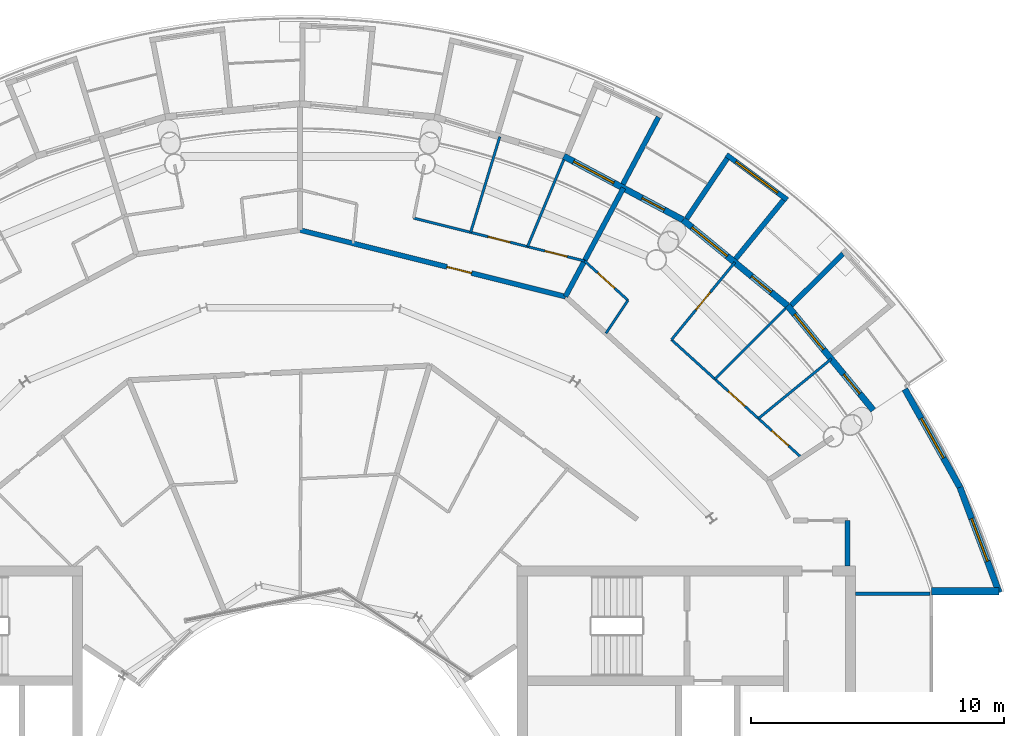
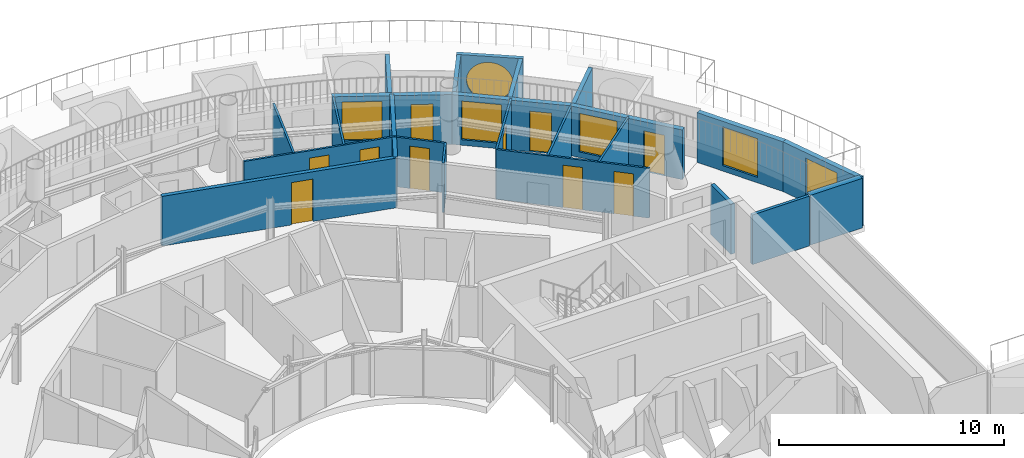
# One storey, part 23 of 29: 24 walls, 10 doors, 6 windows, 16 openings.
"""IFC4 building model written with IfcOpenShell, lengths in metres."""

from ifc_helpers import new_model, si_unit, direction, frame, frame_2d, origin, place, context, subcontext, project, spatial, rectangle, circle, extrude, material, layer, layer_set, type_object, element, fill, save


model = new_model("IFC4")

# Units and contexts
model_context = context("Model", 3, precision=1e-05, world=origin(), true_north=direction((0.0, 1.0)))
body_context = subcontext(model_context, "Body", "Model", "MODEL_VIEW")
ifc_project = project(units=[si_unit("LENGTHUNIT", "METRE"), si_unit("AREAUNIT", "SQUARE_METRE"), si_unit("VOLUMEUNIT", "CUBIC_METRE"), si_unit("PLANEANGLEUNIT", "RADIAN"), si_unit("MASSUNIT", "GRAM", prefix="KILO")], contexts=[model_context])

# Site, building, storey
site_placement = place(None, origin())
site = spatial("IfcSite", under=ifc_project, at=site_placement, CompositionType="ELEMENT")
building_placement = place(site_placement, origin())
building = spatial("IfcBuilding", under=site, at=building_placement, Name="Maasbend Ring Residences", CompositionType="ELEMENT")
storey_placement = place(building_placement, frame((0.0, 0.0, 234.050048828125)))
storey = spatial("IfcBuildingStorey", under=building, at=storey_placement, Name="L67", CompositionType="ELEMENT", Elevation=234.050048828125)

# Wall
ifc_material_1 = material(Name="Concrete C30/37", Category="concrete")
ifc_layer_1 = layer(ifc_material_1, 0.199951171875)
ifc_layer_set_1 = layer_set([ifc_layer_1], Name="Concrete C30/37")
wall_type_1 = type_object("IfcWallType", Name="CORRIDOR WALL 200 CONCRETE", PredefinedType="PARTITIONING", material=ifc_layer_set_1)
wall_1_placement = place(storey_placement, frame((21.675048828125, 9.0, 0.0), z_axis=(0.0, 0.0, 1.0), x_axis=(0.0, 1.0, 0.0)))
element("IfcWall", 1, at=wall_1_placement, inside=storey, type_object=wall_type_1, Name="U-L67-w018", PredefinedType="PARTITIONING", context=body_context, shape_type="SweptSolid", body=[
    extrude(rectangle(XDim=1.800048828125, YDim=0.199951171875, at=frame_2d((0.89990234375, 0.0))), origin(), (0.0, 0.0, 1.0), 2.699951171875),
])

# Wall, opening, door
wall_2_placement = place(storey_placement, frame((0.0, 22.300048828125, 0.0), z_axis=(0.0, 0.0, 1.0), x_axis=(0.969975381822, -0.243203122222, 0.0)))
wall_2 = element("IfcWall", 2, at=wall_2_placement, inside=storey, type_object=wall_type_1, Name="U-L67-w107", PredefinedType="PARTITIONING", context=body_context, shape_type="SweptSolid", body=[
    extrude(rectangle(XDim=10.842529296875, YDim=0.199951171875, at=frame_2d((5.42138671875, 0.0))), origin(), (0.0, 0.0, 1.0), 2.699951171875),
])
opening_1_placement = place(wall_2_placement, frame((6.001953125, 0.0, 0.0)))
opening_1 = element("IfcOpeningElement", 3, at=opening_1_placement, cuts=wall_2, Name="Opening D-6706", PredefinedType="OPENING", context=body_context, shape_type="SweptSolid", body=[
    extrude(rectangle(XDim=1.0, YDim=2.300048828125, at=frame_2d((0.5, 1.14990234375))), frame((0.0, 0.10986328125, 0.0), z_axis=(0.0, -1.0, 0.0), x_axis=(1.0, 0.0, 0.0)), (0.0, 0.0, 1.0), 0.219970703125),
])
ifc_material_2 = material(Name="Timber, fire-rated, painted", Category="wood")
door_type_1 = type_object("IfcDoorType", Name="FLAT ENTRANCE DOOR 1000 X 2300 FIRE-RATED", OperationType="NOTDEFINED", PredefinedType="DOOR", material=ifc_material_2)
door_1_placement = place(opening_1_placement, origin())
door_1 = element("IfcDoor", 4, at=door_1_placement, inside=storey, type_object=door_type_1, Name="D-6706", OperationType="SINGLE_SWING_RIGHT", OverallHeight=2.300048828125, OverallWidth=1.0, PredefinedType="DOOR", context=body_context, shape_type="SweptSolid", body=[
    extrude(rectangle(XDim=1.0, YDim=2.300048828125, at=frame_2d((0.5, 1.14990234375))), frame((0.0, 0.02490234375, 0.0), z_axis=(0.0, -1.0, 0.0), x_axis=(1.0, 0.0, 0.0)), (0.0, 0.0, 1.0), 0.050048828125),
])
fill(opening_1, door_1)

# Wall
ifc_material_3 = material(Name="Pale anodised aluminium panel", Category="aluminium")
ifc_layer_2 = layer(ifc_material_3, 0.199951171875)
ifc_layer_set_2 = layer_set([ifc_layer_2], Name="EW-BOX")
wall_type_2 = type_object("IfcWallType", Name="EW-BOX", PredefinedType="SOLIDWALL", material=ifc_layer_set_2)
wall_3_placement = place(storey_placement, frame((19.449951171875, 19.322998046875, -0.030029296875), z_axis=(0.0, 0.0, 1.0), x_axis=(0.709727076896, 0.704476739375, 0.0)))
element("IfcWall", 5, at=wall_3_placement, inside=storey, type_object=wall_type_2, Name="Box side wall N02 right", PredefinedType="SOLIDWALL", context=body_context, shape_type="SweptSolid", body=[
    extrude(rectangle(XDim=2.883056640625, YDim=0.199951171875, at=frame_2d((1.44140625, 0.0))), origin(), (0.0, 0.0, 1.0), 2.72998046875),
])

# Wall, opening, window
wall_4_placement = place(storey_placement, frame((19.2890625, 23.49609375, -0.030029296875), z_axis=(0.0, 0.0, 1.0), x_axis=(-0.803052706508, 0.595908005124, 0.0)))
wall_4 = element("IfcWall", 6, at=wall_4_placement, inside=storey, type_object=wall_type_2, Name="Box front N04", PredefinedType="SOLIDWALL", context=body_context, shape_type="SweptSolid", body=[
    extrude(rectangle(XDim=2.99365234375, YDim=0.199951171875, at=frame_2d((1.496826171875, 0.0))), origin(), (0.0, 0.0, 1.0), 2.72998046875),
])
opening_2_placement = place(wall_4_placement, frame((0.45654296875, 0.0, 0.330078125)))
opening_2 = element("IfcOpeningElement", 7, at=opening_2_placement, cuts=wall_4, Name="Opening W-RD", PredefinedType="OPENING", context=body_context, shape_type="SweptSolid", body=[
    extrude(circle(Radius=1.0400390625, at=frame_2d((1.0400390625, 1.0400390625))), frame((0.0, 0.10986328125, 0.0), z_axis=(0.0, -1.0, 0.0), x_axis=(1.0, 0.0, 0.0)), (0.0, 0.0, 1.0), 0.219970703125),
])
ifc_material_4 = material(Name="Aluminium and clear glass", Category="aluminium")
window_type_1 = type_object("IfcWindowType", Name="W-RD", PartitioningType="SINGLE_PANEL", PredefinedType="WINDOW", material=ifc_material_4)
window_1_placement = place(opening_2_placement, origin())
window_1 = element("IfcWindow", 8, at=window_1_placement, inside=storey, type_object=window_type_1, Name="Round window N04", OverallHeight=2.080078125, OverallWidth=2.080078125, PartitioningType="SINGLE_PANEL", PredefinedType="WINDOW", context=body_context, shape_type="SweptSolid", body=[
    extrude(circle(Radius=1.0400390625, at=frame_2d((1.0400390625, 1.0400390625))), frame((0.0, 0.030029296875, 0.0), z_axis=(0.0, -1.0, 0.0), x_axis=(1.0, 0.0, 0.0)), (0.0, 0.0, 1.0), 0.06005859375),
])
fill(opening_2, window_1)

# Walls
wall_5_placement = place(storey_placement, frame((17.24609375, 21.155029296875, -0.030029296875), z_axis=(0.0, 0.0, 1.0), x_axis=(0.631546363729, 0.775338113639, 0.0)))
element("IfcWall", 9, at=wall_5_placement, inside=storey, type_object=wall_type_2, Name="Box side wall N04 left", PredefinedType="SOLIDWALL", context=body_context, shape_type="SweptSolid", body=[
    extrude(rectangle(XDim=3.005126953125, YDim=0.199951171875, at=frame_2d((1.50244140625, 0.0))), origin(), (0.0, 0.0, 1.0), 2.72998046875),
])
wall_6_placement = place(storey_placement, frame((15.306884765625, 22.74609375, -0.030029296875), z_axis=(0.0, 0.0, 1.0), x_axis=(0.558583730979, 0.829448139117, 0.0)))
element("IfcWall", 10, at=wall_6_placement, inside=storey, type_object=wall_type_2, Name="Box side wall N04 right", PredefinedType="SOLIDWALL", context=body_context, shape_type="SweptSolid", body=[
    extrude(rectangle(XDim=2.882568359375, YDim=0.199951171875, at=frame_2d((1.44140625, 0.0))), origin(), (0.0, 0.0, 1.0), 2.72998046875),
])
wall_7_placement = place(storey_placement, frame((12.787109375, 24.113037109375, -0.030029296875), z_axis=(0.0, 0.0, 1.0), x_axis=(0.468365282436, 0.883534924159, 0.0)))
element("IfcWall", 11, at=wall_7_placement, inside=storey, type_object=wall_type_2, Name="Box side wall N06 left", PredefinedType="SOLIDWALL", context=body_context, shape_type="SweptSolid", body=[
    extrude(rectangle(XDim=3.006103515625, YDim=0.199951171875, at=frame_2d((1.5029296875, 0.0))), origin(), (0.0, 0.0, 1.0), 2.72998046875),
])

# Wall, openings, door, window
ifc_material_5 = material(Name="Aluminium clad insulated panel", Category="aluminium")
ifc_layer_3 = layer(ifc_material_5, 0.25)
ifc_layer_set_3 = layer_set([ifc_layer_3], Name="EW-GL")
wall_type_3 = type_object("IfcWallType", Name="EW-GL", PredefinedType="SOLIDWALL", material=ifc_layer_set_3)
wall_8_placement = place(storey_placement, frame((22.698974609375, 15.1669921875, 0.0), z_axis=(0.0, 0.0, 1.0), x_axis=(-0.634382322723, 0.773019449054, 0.0)))
wall_8 = element("IfcWall", 12, at=wall_8_placement, inside=storey, type_object=wall_type_3, Name="External wall N01", PredefinedType="SOLIDWALL", context=body_context, shape_type="SweptSolid", body=[
    extrude(rectangle(XDim=5.351806640625, YDim=0.25, at=frame_2d((2.67578125, 0.0))), origin(), (0.0, 0.0, 1.0), 2.699951171875),
])
opening_3_placement = place(wall_8_placement, frame((0.841064453125, 0.0, 0.0)))
opening_3 = element("IfcOpeningElement", 13, at=opening_3_placement, cuts=wall_8, Name="Opening D-LG", PredefinedType="OPENING", context=body_context, shape_type="SweptSolid", body=[
    extrude(rectangle(XDim=1.0, YDim=2.199951171875, at=frame_2d((0.5, 1.10009765625))), frame((0.0, 0.135009765625, 0.0), z_axis=(0.0, -1.0, 0.0), x_axis=(1.0, 0.0, 0.0)), (0.0, 0.0, 1.0), 0.27001953125),
])
opening_4_placement = place(wall_8_placement, frame((3.110595703125, 0.0, 0.300048828125)))
opening_4 = element("IfcOpeningElement", 14, at=opening_4_placement, cuts=wall_8, Name="Opening W-BX", PredefinedType="OPENING", context=body_context, shape_type="SweptSolid", body=[
    extrude(rectangle(XDim=1.800048828125, YDim=2.10009765625, at=frame_2d((0.89990234375, 1.050048828125))), frame((0.0, 0.135009765625, 0.0), z_axis=(0.0, -1.0, 0.0), x_axis=(1.0, 0.0, 0.0)), (0.0, 0.0, 1.0), 0.27001953125),
])
ifc_material_6 = material(Name="Aluminium and clear glass", Category="aluminium")
door_type_2 = type_object("IfcDoorType", Name="D-LG", OperationType="SINGLE_SWING_LEFT", PredefinedType="DOOR", material=ifc_material_6)
door_2_placement = place(opening_3_placement, origin())
door_2 = element("IfcDoor", 15, at=door_2_placement, inside=storey, type_object=door_type_2, Name="Loggia door N01", OperationType="SINGLE_SWING_LEFT", OverallHeight=2.199951171875, OverallWidth=1.0, PredefinedType="DOOR", context=body_context, shape_type="SweptSolid", body=[
    extrude(rectangle(XDim=1.0, YDim=2.199951171875, at=frame_2d((0.5, 1.10009765625))), frame((0.0, 0.02490234375, 0.0), z_axis=(0.0, -1.0, 0.0), x_axis=(1.0, 0.0, 0.0)), (0.0, 0.0, 1.0), 0.050048828125),
])
fill(opening_3, door_2)
ifc_material_7 = material(Name="Aluminium and clear glass", Category="aluminium")
window_type_2 = type_object("IfcWindowType", Name="W-BX", PartitioningType="DOUBLE_PANEL_VERTICAL", PredefinedType="WINDOW", material=ifc_material_7)
window_2_placement = place(opening_4_placement, origin())
window_2 = element("IfcWindow", 16, at=window_2_placement, inside=storey, type_object=window_type_2, Name="Window N02 room to box", OverallHeight=2.10009765625, OverallWidth=1.800048828125, PartitioningType="SINGLE_PANEL", PredefinedType="WINDOW", context=body_context, shape_type="SweptSolid", body=[
    extrude(rectangle(XDim=1.800048828125, YDim=2.10009765625, at=frame_2d((0.89990234375, 1.050048828125))), frame((0.0, 0.030029296875, 0.0), z_axis=(0.0, -1.0, 0.0), x_axis=(1.0, 0.0, 0.0)), (0.0, 0.0, 1.0), 0.06005859375),
])
fill(opening_4, window_2)

wall_9_placement = place(storey_placement, frame((19.303955078125, 19.303955078125, 0.0), z_axis=(0.0, 0.0, 1.0), x_axis=(-0.773019449054, 0.634382322723, 0.0)))
wall_9 = element("IfcWall", 17, at=wall_9_placement, inside=storey, type_object=wall_type_3, Name="External wall N02", PredefinedType="SOLIDWALL", context=body_context, shape_type="SweptSolid", body=[
    extrude(rectangle(XDim=5.351806640625, YDim=0.25, at=frame_2d((2.67578125, 0.0))), origin(), (0.0, 0.0, 1.0), 2.699951171875),
])
opening_5_placement = place(wall_9_placement, frame((0.841064453125, 0.0, 0.0)))
opening_5 = element("IfcOpeningElement", 18, at=opening_5_placement, cuts=wall_9, Name="Opening D-LG", PredefinedType="OPENING", context=body_context, shape_type="SweptSolid", body=[
    extrude(rectangle(XDim=1.0, YDim=2.199951171875, at=frame_2d((0.5, 1.10009765625))), frame((0.0, 0.135009765625, 0.0), z_axis=(0.0, -1.0, 0.0), x_axis=(1.0, 0.0, 0.0)), (0.0, 0.0, 1.0), 0.27001953125),
])
opening_6_placement = place(wall_9_placement, frame((3.095947265625, 0.0, 0.300048828125)))
opening_6 = element("IfcOpeningElement", 19, at=opening_6_placement, cuts=wall_9, Name="Opening W-BX", PredefinedType="OPENING", context=body_context, shape_type="SweptSolid", body=[
    extrude(rectangle(XDim=1.800048828125, YDim=2.10009765625, at=frame_2d((0.89990234375, 1.050048828125))), frame((0.0, 0.135009765625, 0.0), z_axis=(0.0, -1.0, 0.0), x_axis=(1.0, 0.0, 0.0)), (0.0, 0.0, 1.0), 0.27001953125),
])
door_3_placement = place(opening_5_placement, origin())
door_3 = element("IfcDoor", 20, at=door_3_placement, inside=storey, type_object=door_type_2, Name="Loggia door N03", OperationType="SINGLE_SWING_LEFT", OverallHeight=2.199951171875, OverallWidth=1.0, PredefinedType="DOOR", context=body_context, shape_type="SweptSolid", body=[
    extrude(rectangle(XDim=1.0, YDim=2.199951171875, at=frame_2d((0.5, 1.10009765625))), frame((0.0, 0.02490234375, 0.0), z_axis=(0.0, -1.0, 0.0), x_axis=(1.0, 0.0, 0.0)), (0.0, 0.0, 1.0), 0.050048828125),
])
fill(opening_5, door_3)
window_3_placement = place(opening_6_placement, origin())
window_3 = element("IfcWindow", 21, at=window_3_placement, inside=storey, type_object=window_type_2, Name="Window N04 room to box", OverallHeight=2.10009765625, OverallWidth=1.800048828125, PartitioningType="SINGLE_PANEL", PredefinedType="WINDOW", context=body_context, shape_type="SweptSolid", body=[
    extrude(rectangle(XDim=1.800048828125, YDim=2.10009765625, at=frame_2d((0.89990234375, 1.050048828125))), frame((0.0, 0.030029296875, 0.0), z_axis=(0.0, -1.0, 0.0), x_axis=(1.0, 0.0, 0.0)), (0.0, 0.0, 1.0), 0.06005859375),
])
fill(opening_6, window_3)

wall_10_placement = place(storey_placement, frame((15.1669921875, 22.698974609375, 0.0), z_axis=(0.0, 0.0, 1.0), x_axis=(-0.881915646801, 0.471407246368, 0.0)))
wall_10 = element("IfcWall", 22, at=wall_10_placement, inside=storey, type_object=wall_type_3, Name="External wall N03", PredefinedType="SOLIDWALL", context=body_context, shape_type="SweptSolid", body=[
    extrude(rectangle(XDim=5.35205078125, YDim=0.25, at=frame_2d((2.676025390625, 0.0))), origin(), (0.0, 0.0, 1.0), 2.699951171875),
])
opening_7_placement = place(wall_10_placement, frame((0.841064453125, 0.0, 0.0)))
opening_7 = element("IfcOpeningElement", 23, at=opening_7_placement, cuts=wall_10, Name="Opening D-LG", PredefinedType="OPENING", context=body_context, shape_type="SweptSolid", body=[
    extrude(rectangle(XDim=1.0, YDim=2.199951171875, at=frame_2d((0.5, 1.10009765625))), frame((0.0, 0.135009765625, 0.0), z_axis=(0.0, -1.0, 0.0), x_axis=(1.0, 0.0, 0.0)), (0.0, 0.0, 1.0), 0.27001953125),
])
opening_8_placement = place(wall_10_placement, frame((3.110595703125, 0.0, 0.300048828125)))
opening_8 = element("IfcOpeningElement", 24, at=opening_8_placement, cuts=wall_10, Name="Opening W-BX", PredefinedType="OPENING", context=body_context, shape_type="SweptSolid", body=[
    extrude(rectangle(XDim=1.800048828125, YDim=2.10009765625, at=frame_2d((0.89990234375, 1.050048828125))), frame((0.0, 0.135009765625, 0.0), z_axis=(0.0, -1.0, 0.0), x_axis=(1.0, 0.0, 0.0)), (0.0, 0.0, 1.0), 0.27001953125),
])
door_4_placement = place(opening_7_placement, origin())
door_4 = element("IfcDoor", 25, at=door_4_placement, inside=storey, type_object=door_type_2, Name="Loggia door N05", OperationType="SINGLE_SWING_LEFT", OverallHeight=2.199951171875, OverallWidth=1.0, PredefinedType="DOOR", context=body_context, shape_type="SweptSolid", body=[
    extrude(rectangle(XDim=1.0, YDim=2.199951171875, at=frame_2d((0.5, 1.10009765625))), frame((0.0, 0.02490234375, 0.0), z_axis=(0.0, -1.0, 0.0), x_axis=(1.0, 0.0, 0.0)), (0.0, 0.0, 1.0), 0.050048828125),
])
fill(opening_7, door_4)
window_4_placement = place(opening_8_placement, origin())
window_4 = element("IfcWindow", 26, at=window_4_placement, inside=storey, type_object=window_type_2, Name="Window N06 room to box", OverallHeight=2.10009765625, OverallWidth=1.800048828125, PartitioningType="SINGLE_PANEL", PredefinedType="WINDOW", context=body_context, shape_type="SweptSolid", body=[
    extrude(rectangle(XDim=1.800048828125, YDim=2.10009765625, at=frame_2d((0.89990234375, 1.050048828125))), frame((0.0, 0.030029296875, 0.0), z_axis=(0.0, -1.0, 0.0), x_axis=(1.0, 0.0, 0.0)), (0.0, 0.0, 1.0), 0.06005859375),
])
fill(opening_8, window_4)

# Wall, opening, window
ifc_material_8 = material(Name="Aluminium clad insulated panel", Category="aluminium")
ifc_layer_4 = layer(ifc_material_8, 0.25)
ifc_layer_set_4 = layer_set([ifc_layer_4], Name="EW-HORN")
wall_type_4 = type_object("IfcWallType", Name="EW-HORN", PredefinedType="SOLIDWALL", material=ifc_layer_set_4)
wall_11_placement = place(storey_placement, frame((27.681884765625, 7.945068359375, 0.0), z_axis=(0.0, 0.0, 1.0), x_axis=(-0.349247811493, 0.937030397675, 0.0)))
wall_11 = element("IfcWall", 27, at=wall_11_placement, inside=storey, type_object=wall_type_4, Name="Horn wall 1.1", PredefinedType="SOLIDWALL", context=body_context, shape_type="SweptSolid", body=[
    extrude(rectangle(XDim=4.4521484375, YDim=0.25, at=frame_2d((2.22607421875, 0.0))), origin(), (0.0, 0.0, 1.0), 2.699951171875),
])
opening_9_placement = place(wall_11_placement, frame((1.32666015625, 0.0, 0.300048828125)))
opening_9 = element("IfcOpeningElement", 28, at=opening_9_placement, cuts=wall_11, Name="Opening W-BX", PredefinedType="OPENING", context=body_context, shape_type="SweptSolid", body=[
    extrude(rectangle(XDim=1.800048828125, YDim=2.10009765625, at=frame_2d((0.89990234375, 1.050048828125))), frame((0.0, 0.135009765625, 0.0), z_axis=(0.0, -1.0, 0.0), x_axis=(1.0, 0.0, 0.0)), (0.0, 0.0, 1.0), 0.27001953125),
])
window_5_placement = place(opening_9_placement, origin())
window_5 = element("IfcWindow", 29, at=window_5_placement, inside=storey, type_object=window_type_2, Name="Horn window 1.1", OverallHeight=2.10009765625, OverallWidth=1.800048828125, PartitioningType="SINGLE_PANEL", PredefinedType="WINDOW", context=body_context, shape_type="SweptSolid", body=[
    extrude(rectangle(XDim=1.800048828125, YDim=2.10009765625, at=frame_2d((0.89990234375, 1.050048828125))), frame((0.0, 0.030029296875, 0.0), z_axis=(0.0, -1.0, 0.0), x_axis=(1.0, 0.0, 0.0)), (0.0, 0.0, 1.0), 0.06005859375),
])
fill(opening_9, window_5)

wall_12_placement = place(storey_placement, frame((26.126953125, 12.116943359375, 0.0), z_axis=(0.0, 0.0, 1.0), x_axis=(-0.489696356642, 0.871893042919, 0.0)))
wall_12 = element("IfcWall", 30, at=wall_12_placement, inside=storey, type_object=wall_type_4, Name="Horn wall 1.2", PredefinedType="SOLIDWALL", context=body_context, shape_type="SweptSolid", body=[
    extrude(rectangle(XDim=4.45361328125, YDim=0.25, at=frame_2d((2.226806640625, 0.0))), origin(), (0.0, 0.0, 1.0), 2.699951171875),
])
opening_10_placement = place(wall_12_placement, frame((1.32666015625, 0.0, 0.300048828125)))
opening_10 = element("IfcOpeningElement", 31, at=opening_10_placement, cuts=wall_12, Name="Opening W-BX", PredefinedType="OPENING", context=body_context, shape_type="SweptSolid", body=[
    extrude(rectangle(XDim=1.800048828125, YDim=2.10009765625, at=frame_2d((0.89990234375, 1.050048828125))), frame((0.0, 0.135009765625, 0.0), z_axis=(0.0, -1.0, 0.0), x_axis=(1.0, 0.0, 0.0)), (0.0, 0.0, 1.0), 0.27001953125),
])
window_6_placement = place(opening_10_placement, origin())
window_6 = element("IfcWindow", 32, at=window_6_placement, inside=storey, type_object=window_type_2, Name="Horn window 1.2", OverallHeight=2.10009765625, OverallWidth=1.800048828125, PartitioningType="SINGLE_PANEL", PredefinedType="WINDOW", context=body_context, shape_type="SweptSolid", body=[
    extrude(rectangle(XDim=1.800048828125, YDim=2.10009765625, at=frame_2d((0.89990234375, 1.050048828125))), frame((0.0, 0.030029296875, 0.0), z_axis=(0.0, -1.0, 0.0), x_axis=(1.0, 0.0, 0.0)), (0.0, 0.0, 1.0), 0.06005859375),
])
fill(opening_10, window_6)

# Walls
ifc_material_9 = material(Name="Aluminium clad insulated panel", Category="aluminium")
ifc_layer_5 = layer(ifc_material_9, 0.300048828125)
ifc_layer_set_5 = layer_set([ifc_layer_5], Name="EW-RET")
wall_type_5 = type_object("IfcWallType", Name="EW-RET", PredefinedType="SOLIDWALL", material=ifc_layer_set_5)
wall_13_placement = place(storey_placement, frame((25.0, 8.0, 0.0), z_axis=(0.0, 0.0, 1.0), x_axis=(1.0, 0.0, 0.0)))
element("IfcWall", 33, at=wall_13_placement, inside=storey, type_object=wall_type_5, Name="Notch return wall east north", PredefinedType="SOLIDWALL", context=body_context, shape_type="SweptSolid", body=[
    extrude(rectangle(XDim=2.6669921875, YDim=0.300048828125, at=frame_2d((1.33349609375, 0.0))), origin(), (0.0, 0.0, 1.0), 2.699951171875),
])
ifc_material_10 = material(Name="Gypsum board on steel studs", Category="steel")
ifc_layer_6 = layer(ifc_material_10, 0.10009765625)
ifc_layer_set_6 = layer_set([ifc_layer_6], Name="PARTITION 100 GYPSUM")
wall_type_6 = type_object("IfcWallType", Name="PARTITION 100 GYPSUM", PredefinedType="PARTITIONING", material=ifc_layer_set_6)
wall_14_placement = place(storey_placement, frame((6.760009765625, 22.20703125, 0.0), z_axis=(0.0, 0.0, 1.0), x_axis=(0.291291575636, 0.956634317785, 0.0)))
element("IfcWall", 34, at=wall_14_placement, inside=storey, type_object=wall_type_6, Name="U-L67-w080", PredefinedType="PARTITIONING", context=body_context, shape_type="SweptSolid", body=[
    extrude(rectangle(XDim=3.9619140625, YDim=0.10009765625, at=frame_2d((1.98095703125, 0.0))), origin(), (0.0, 0.0, 1.0), 2.699951171875),
])
wall_15_placement = place(storey_placement, frame((9.012939453125, 21.64208984375, 0.0), z_axis=(0.0, 0.0, 1.0), x_axis=(0.384420204655, 0.923158223845, 0.0)))
element("IfcWall", 35, at=wall_15_placement, inside=storey, type_object=wall_type_6, Name="U-L67-w082", PredefinedType="PARTITIONING", context=body_context, shape_type="SweptSolid", body=[
    extrude(rectangle(XDim=3.73046875, YDim=0.10009765625, at=frame_2d((1.865234375, 0.0))), origin(), (0.0, 0.0, 1.0), 2.699951171875),
])
wall_16_placement = place(storey_placement, frame((12.117919921875, 18.2109375, 0.0), z_axis=(0.0, 0.0, 1.0), x_axis=(0.554125989098, 0.832432813028, 0.0)))
element("IfcWall", 36, at=wall_16_placement, inside=storey, type_object=wall_type_6, Name="U-L67-w085", PredefinedType="PARTITIONING", context=body_context, shape_type="SweptSolid", body=[
    extrude(rectangle(XDim=1.5703125, YDim=0.10009765625, at=frame_2d((0.78515625, 0.0))), origin(), (0.0, 0.0, 1.0), 2.699951171875),
])

# Wall, opening, door
wall_17_placement = place(storey_placement, frame((14.708984375, 17.9580078125, 0.0), z_axis=(0.0, 0.0, 1.0), x_axis=(0.633590098448, 0.773668913133, 0.0)))
wall_17 = element("IfcWall", 37, at=wall_17_placement, inside=storey, type_object=wall_type_6, Name="U-L67-w088", PredefinedType="PARTITIONING", context=body_context, shape_type="SweptSolid", body=[
    extrude(rectangle(XDim=3.961669921875, YDim=0.10009765625, at=frame_2d((1.98095703125, 0.0))), origin(), (0.0, 0.0, 1.0), 2.699951171875),
])
opening_11_placement = place(wall_17_placement, frame((1.531005859375, 0.0, 0.0)))
opening_11 = element("IfcOpeningElement", 38, at=opening_11_placement, cuts=wall_17, Name="Opening D-6703", PredefinedType="OPENING", context=body_context, shape_type="SweptSolid", body=[
    extrude(rectangle(XDim=0.89990234375, YDim=2.300048828125, at=frame_2d((0.449951171875, 1.14990234375))), frame((0.0, 0.06005859375, 0.0), z_axis=(0.0, -1.0, 0.0), x_axis=(1.0, 0.0, 0.0)), (0.0, 0.0, 1.0), 0.1201171875),
])
ifc_material_11 = material(Name="Timber, painted", Category="wood")
door_type_3 = type_object("IfcDoorType", Name="INTERNAL DOOR 900 X 2300", OperationType="NOTDEFINED", PredefinedType="DOOR", material=ifc_material_11)
door_5_placement = place(opening_11_placement, origin())
door_5 = element("IfcDoor", 39, at=door_5_placement, inside=storey, type_object=door_type_3, Name="D-6703", OperationType="SINGLE_SWING_RIGHT", OverallHeight=2.300048828125, OverallWidth=0.89990234375, PredefinedType="DOOR", context=body_context, shape_type="SweptSolid", body=[
    extrude(rectangle(XDim=0.89990234375, YDim=2.300048828125, at=frame_2d((0.449951171875, 1.14990234375))), frame((0.0, 0.02490234375, 0.0), z_axis=(0.0, -1.0, 0.0), x_axis=(1.0, 0.0, 0.0)), (0.0, 0.0, 1.0), 0.050048828125),
])
fill(opening_11, door_5)

# Walls
wall_18_placement = place(storey_placement, frame((16.429931640625, 16.39794921875, 0.0), z_axis=(0.0, 0.0, 1.0), x_axis=(0.707722727509, 0.706490297858, 0.0)))
element("IfcWall", 40, at=wall_18_placement, inside=storey, type_object=wall_type_6, Name="U-L67-w089", PredefinedType="PARTITIONING", context=body_context, shape_type="SweptSolid", body=[
    extrude(rectangle(XDim=3.9619140625, YDim=0.10009765625, at=frame_2d((1.98095703125, 0.0))), origin(), (0.0, 0.0, 1.0), 2.699951171875),
])
wall_19_placement = place(storey_placement, frame((18.15087890625, 14.837890625, 0.0), z_axis=(0.0, 0.0, 1.0), x_axis=(0.774321581607, 0.63279229472, 0.0)))
element("IfcWall", 41, at=wall_19_placement, inside=storey, type_object=wall_type_6, Name="U-L67-w091", PredefinedType="PARTITIONING", context=body_context, shape_type="SweptSolid", body=[
    extrude(rectangle(XDim=3.731201171875, YDim=0.10009765625, at=frame_2d((1.86572265625, 0.0))), origin(), (0.0, 0.0, 1.0), 2.699951171875),
])

# Wall, openings, doors
wall_20_placement = place(storey_placement, frame((4.507080078125, 22.77099609375, 0.0), z_axis=(0.0, 0.0, 1.0), x_axis=(0.970020829306, -0.243021790611, 0.0)))
wall_20 = element("IfcWall", 42, at=wall_20_placement, inside=storey, type_object=wall_type_6, Name="U-L67-w117", PredefinedType="PARTITIONING", context=body_context, shape_type="SweptSolid", body=[
    extrude(rectangle(XDim=6.970947265625, YDim=0.10009765625, at=frame_2d((3.4853515625, 0.0))), origin(), (0.0, 0.0, 1.0), 2.699951171875),
])
opening_12_placement = place(wall_20_placement, frame((3.031005859375, 0.0, 0.0)))
opening_12 = element("IfcOpeningElement", 43, at=opening_12_placement, cuts=wall_20, Name="Opening D-6709", PredefinedType="OPENING", context=body_context, shape_type="SweptSolid", body=[
    extrude(rectangle(XDim=0.89990234375, YDim=2.300048828125, at=frame_2d((0.449951171875, 1.14990234375))), frame((0.0, 0.06005859375, 0.0), z_axis=(0.0, -1.0, 0.0), x_axis=(1.0, 0.0, 0.0)), (0.0, 0.0, 1.0), 0.1201171875),
])
opening_13_placement = place(wall_20_placement, frame((5.35791015625, 0.0, 0.0)))
opening_13 = element("IfcOpeningElement", 44, at=opening_13_placement, cuts=wall_20, Name="Opening D-6710", PredefinedType="OPENING", context=body_context, shape_type="SweptSolid", body=[
    extrude(rectangle(XDim=0.89990234375, YDim=2.300048828125, at=frame_2d((0.449951171875, 1.14990234375))), frame((0.0, 0.06005859375, 0.0), z_axis=(0.0, -1.0, 0.0), x_axis=(1.0, 0.0, 0.0)), (0.0, 0.0, 1.0), 0.1201171875),
])
door_6_placement = place(opening_12_placement, origin())
door_6 = element("IfcDoor", 45, at=door_6_placement, inside=storey, type_object=door_type_3, Name="D-6709", OperationType="SINGLE_SWING_LEFT", OverallHeight=2.300048828125, OverallWidth=0.89990234375, PredefinedType="DOOR", context=body_context, shape_type="SweptSolid", body=[
    extrude(rectangle(XDim=0.89990234375, YDim=2.300048828125, at=frame_2d((0.449951171875, 1.14990234375))), frame((0.0, 0.02490234375, 0.0), z_axis=(0.0, -1.0, 0.0), x_axis=(1.0, 0.0, 0.0)), (0.0, 0.0, 1.0), 0.050048828125),
])
fill(opening_12, door_6)
door_7_placement = place(opening_13_placement, origin())
door_7 = element("IfcDoor", 46, at=door_7_placement, inside=storey, type_object=door_type_3, Name="D-6710", OperationType="SINGLE_SWING_RIGHT", OverallHeight=2.300048828125, OverallWidth=0.89990234375, PredefinedType="DOOR", context=body_context, shape_type="SweptSolid", body=[
    extrude(rectangle(XDim=0.89990234375, YDim=2.300048828125, at=frame_2d((0.449951171875, 1.14990234375))), frame((0.0, 0.02490234375, 0.0), z_axis=(0.0, -1.0, 0.0), x_axis=(1.0, 0.0, 0.0)), (0.0, 0.0, 1.0), 0.050048828125),
])
fill(opening_13, door_7)

# Wall, opening, door
wall_21_placement = place(storey_placement, frame((11.27099609375, 21.073974609375, 0.0), z_axis=(0.0, 0.0, 1.0), x_axis=(0.74087097024, -0.671647381783, 0.0)))
wall_21 = element("IfcWall", 47, at=wall_21_placement, inside=storey, type_object=wall_type_6, Name="U-L67-w118", PredefinedType="PARTITIONING", context=body_context, shape_type="SweptSolid", body=[
    extrude(rectangle(XDim=2.32421875, YDim=0.10009765625, at=frame_2d((1.162109375, 0.0))), origin(), (0.0, 0.0, 1.0), 2.699951171875),
])
opening_14_placement = place(wall_21_placement, frame((0.705078125, 0.0, 0.0)))
opening_14 = element("IfcOpeningElement", 48, at=opening_14_placement, cuts=wall_21, Name="Opening D-6702", PredefinedType="OPENING", context=body_context, shape_type="SweptSolid", body=[
    extrude(rectangle(XDim=0.89990234375, YDim=2.300048828125, at=frame_2d((0.449951171875, 1.14990234375))), frame((0.0, 0.06005859375, 0.0), z_axis=(0.0, -1.0, 0.0), x_axis=(1.0, 0.0, 0.0)), (0.0, 0.0, 1.0), 0.1201171875),
])
door_8_placement = place(opening_14_placement, origin())
door_8 = element("IfcDoor", 49, at=door_8_placement, inside=storey, type_object=door_type_3, Name="D-6702", OperationType="SINGLE_SWING_LEFT", OverallHeight=2.300048828125, OverallWidth=0.89990234375, PredefinedType="DOOR", context=body_context, shape_type="SweptSolid", body=[
    extrude(rectangle(XDim=0.89990234375, YDim=2.300048828125, at=frame_2d((0.449951171875, 1.14990234375))), frame((0.0, 0.02490234375, 0.0), z_axis=(0.0, -1.0, 0.0), x_axis=(1.0, 0.0, 0.0)), (0.0, 0.0, 1.0), 0.050048828125),
])
fill(opening_14, door_8)

# Wall, openings, doors
wall_22_placement = place(storey_placement, frame((14.708984375, 17.9580078125, 0.0), z_axis=(0.0, 0.0, 1.0), x_axis=(0.740923753351, -0.671589153962, 0.0)))
wall_22 = element("IfcWall", 50, at=wall_22_placement, inside=storey, type_object=wall_type_6, Name="U-L67-w119", PredefinedType="PARTITIONING", context=body_context, shape_type="SweptSolid", body=[
    extrude(rectangle(XDim=6.968505859375, YDim=0.10009765625, at=frame_2d((3.484375, 0.0))), origin(), (0.0, 0.0, 1.0), 2.699951171875),
])
opening_15_placement = place(wall_22_placement, frame((3.033935546875, 0.0, 0.0)))
opening_15 = element("IfcOpeningElement", 51, at=opening_15_placement, cuts=wall_22, Name="Opening D-6704", PredefinedType="OPENING", context=body_context, shape_type="SweptSolid", body=[
    extrude(rectangle(XDim=0.89990234375, YDim=2.300048828125, at=frame_2d((0.449951171875, 1.14990234375))), frame((0.0, 0.06005859375, 0.0), z_axis=(0.0, -1.0, 0.0), x_axis=(1.0, 0.0, 0.0)), (0.0, 0.0, 1.0), 0.1201171875),
])
opening_16_placement = place(wall_22_placement, frame((5.35693359375, 0.0, 0.0)))
opening_16 = element("IfcOpeningElement", 52, at=opening_16_placement, cuts=wall_22, Name="Opening D-6705", PredefinedType="OPENING", context=body_context, shape_type="SweptSolid", body=[
    extrude(rectangle(XDim=0.89990234375, YDim=2.300048828125, at=frame_2d((0.449951171875, 1.14990234375))), frame((0.0, 0.06005859375, 0.0), z_axis=(0.0, -1.0, 0.0), x_axis=(1.0, 0.0, 0.0)), (0.0, 0.0, 1.0), 0.1201171875),
])
door_9_placement = place(opening_15_placement, origin())
door_9 = element("IfcDoor", 53, at=door_9_placement, inside=storey, type_object=door_type_3, Name="D-6704", OperationType="SINGLE_SWING_LEFT", OverallHeight=2.300048828125, OverallWidth=0.89990234375, PredefinedType="DOOR", context=body_context, shape_type="SweptSolid", body=[
    extrude(rectangle(XDim=0.89990234375, YDim=2.300048828125, at=frame_2d((0.449951171875, 1.14990234375))), frame((0.0, 0.02490234375, 0.0), z_axis=(0.0, -1.0, 0.0), x_axis=(1.0, 0.0, 0.0)), (0.0, 0.0, 1.0), 0.050048828125),
])
fill(opening_15, door_9)
door_10_placement = place(opening_16_placement, origin())
door_10 = element("IfcDoor", 54, at=door_10_placement, inside=storey, type_object=door_type_3, Name="D-6705", OperationType="SINGLE_SWING_RIGHT", OverallHeight=2.300048828125, OverallWidth=0.89990234375, PredefinedType="DOOR", context=body_context, shape_type="SweptSolid", body=[
    extrude(rectangle(XDim=0.89990234375, YDim=2.300048828125, at=frame_2d((0.449951171875, 1.14990234375))), frame((0.0, 0.02490234375, 0.0), z_axis=(0.0, -1.0, 0.0), x_axis=(1.0, 0.0, 0.0)), (0.0, 0.0, 1.0), 0.050048828125),
])
fill(opening_16, door_10)

# Walls
ifc_material_12 = material(Name="Gypsum board on steel studs", Category="steel")
ifc_layer_7 = layer(ifc_material_12, 0.14990234375)
ifc_layer_set_7 = layer_set([ifc_layer_7], Name="PARTITION 150 EI 60")
wall_type_7 = type_object("IfcWallType", Name="PARTITION 150 EI 60", PredefinedType="PARTITIONING", material=ifc_layer_set_7)
wall_23_placement = place(storey_placement, frame((22.0, 7.89990234375, 0.0), z_axis=(0.0, 0.0, 1.0), x_axis=(1.0, 0.0, 0.0)))
element("IfcWall", 55, at=wall_23_placement, inside=storey, type_object=wall_type_7, Name="L67 core E wall CITN", PredefinedType="PARTITIONING", context=body_context, shape_type="SweptSolid", body=[
    extrude(rectangle(XDim=2.93994140625, YDim=0.14990234375, at=frame_2d((1.469970703125, 0.0))), origin(), (0.0, 0.0, 1.0), 2.699951171875),
])
ifc_material_13 = material(Name="Concrete C30/37", Category="concrete")
ifc_layer_8 = layer(ifc_material_13, 0.199951171875)
ifc_layer_set_8 = layer_set([ifc_layer_8], Name="Concrete C30/37")
wall_type_8 = type_object("IfcWallType", Name="PARTY WALL 200 CONCRETE", PredefinedType="PARTITIONING", material=ifc_layer_set_8)
wall_24_placement = place(storey_placement, frame((10.511962890625, 19.6669921875, 0.0), z_axis=(0.0, 0.0, 1.0), x_axis=(0.471271812246, 0.881988026553, 0.0)))
element("IfcWall", 56, at=wall_24_placement, inside=storey, type_object=wall_type_8, Name="U-L67-w083", PredefinedType="PARTITIONING", context=body_context, shape_type="SweptSolid", body=[
    extrude(rectangle(XDim=4.874267578125, YDim=0.199951171875, at=frame_2d((2.43701171875, 0.0))), origin(), (0.0, 0.0, 1.0), 2.699951171875),
])

save(model, "model.ifc")
